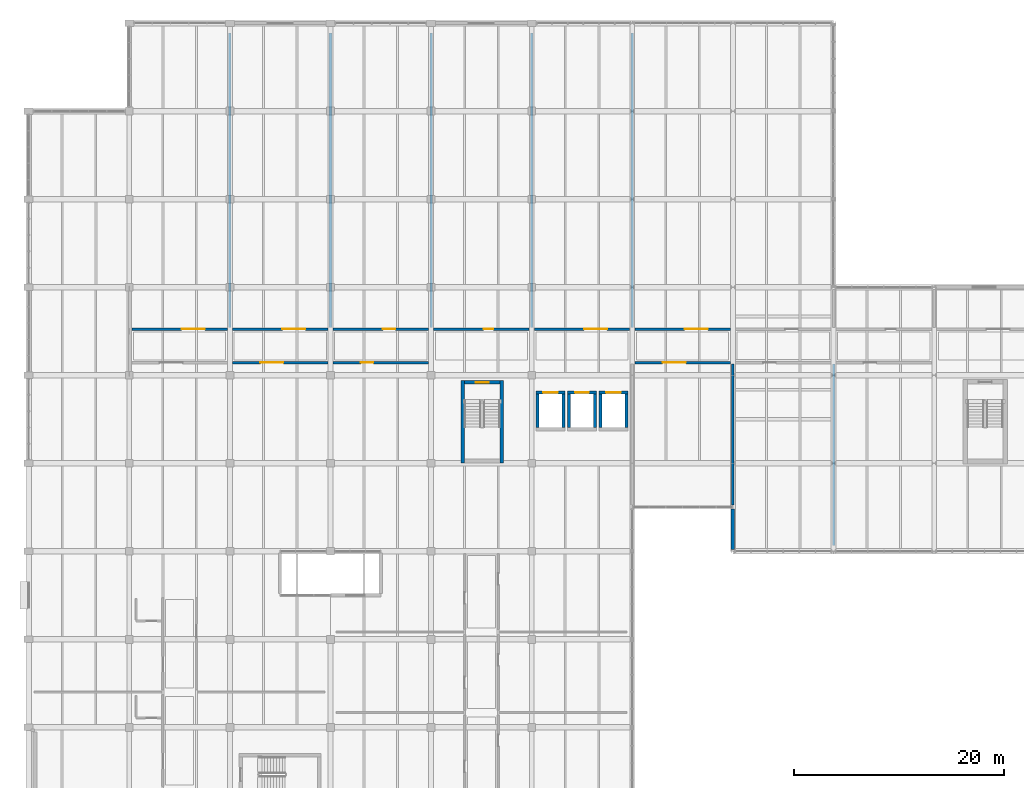
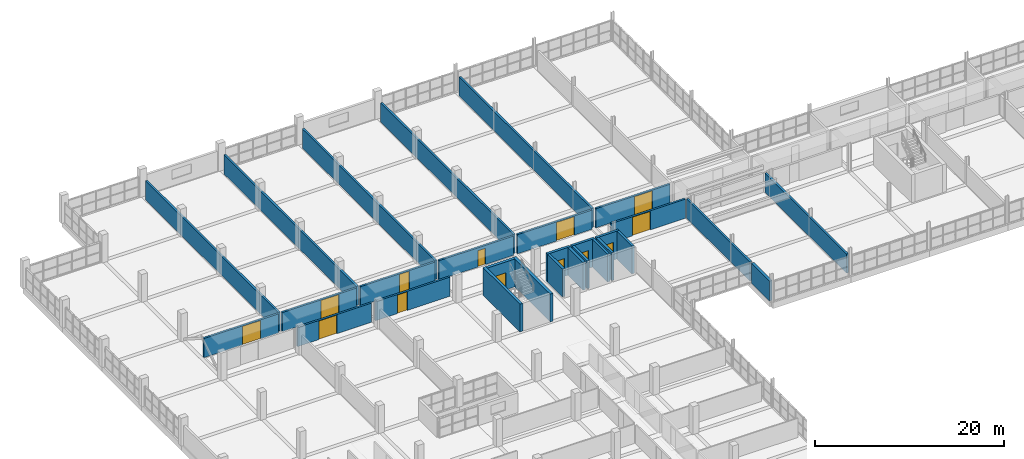
# One storey, part 123 of 147: 29 walls, 13 doors, 13 openings.
"""IFC4 building model written with IfcOpenShell, lengths in metres."""

from ifc_helpers import new_model, si_unit, direction, frame, frame_2d, origin, place, context, subcontext, project, spatial, rectangle, extrude, material, layer, layer_set, type_object, element, fill, save


model = new_model("IFC4")

# Units and contexts
model_context = context("Model", 3, precision=1e-05, world=origin(), true_north=direction((0.0, 1.0)))
body_context = subcontext(model_context, "Body", "Model", "MODEL_VIEW")
ifc_project = project(units=[si_unit("LENGTHUNIT", "METRE"), si_unit("AREAUNIT", "SQUARE_METRE"), si_unit("VOLUMEUNIT", "CUBIC_METRE"), si_unit("PLANEANGLEUNIT", "RADIAN"), si_unit("MASSUNIT", "GRAM", prefix="KILO")], contexts=[model_context])

# Site, building, storey
site_placement = place(None, origin())
site = spatial("IfcSite", under=ifc_project, at=site_placement, CompositionType="ELEMENT")
building_placement = place(site_placement, origin())
building = spatial("IfcBuilding", under=site, at=building_placement, Name="Oolite Switchyard Hospital", CompositionType="ELEMENT")
storey_placement = place(building_placement, frame((0.0, 0.0, 9.89990234375)))
storey = spatial("IfcBuildingStorey", under=building, at=storey_placement, Name="L02", CompositionType="ELEMENT", Elevation=9.89990234375)

# Wall
ifc_material_1 = material(Name="Precast oolitic limestone architectural concrete C40/50", Category="masonry")
ifc_layer_1 = layer(ifc_material_1, 0.320068359375)
ifc_layer_set_1 = layer_set([ifc_layer_1], Name="WAL-EXT-320")
wall_type_1 = type_object("IfcWallType", Name="WAL-EXT-320", PredefinedType="SOLIDWALL", material=ifc_layer_set_1)
wall_1_placement = place(storey_placement, frame((67.199951171875, 84.159912109375, 0.0), z_axis=(0.0, 0.0, 1.0), x_axis=(0.0, 1.0, 0.0)))
element("IfcWall", 1, at=wall_1_placement, inside=storey, type_object=wall_type_1, Name="L02 Exterior Spandrel Wall 155", PredefinedType="SOLIDWALL", context=body_context, shape_type="SweptSolid", body=[
    extrude(rectangle(XDim=3.880126953125, YDim=0.320068359375, at=frame_2d((1.93994140625, 0.0))), origin(), (0.0, 0.0, 1.0), 2.570068359375),
])

# Wall, opening, door
ifc_material_2 = material(Name="Precast concrete C40/50", Category="concrete")
ifc_layer_2 = layer(ifc_material_2, 0.239990234375)
ifc_layer_set_2 = layer_set([ifc_layer_2], Name="WAL-PLANT-240")
wall_type_2 = type_object("IfcWallType", Name="WAL-PLANT-240", PredefinedType="PARTITIONING", material=ifc_layer_set_2)
wall_2_placement = place(storey_placement, frame((9.85009765625, 105.199951171875, 0.0), z_axis=(0.0, 0.0, 1.0), x_axis=(1.0, 0.0, 0.0)))
wall_2 = element("IfcWall", 2, at=wall_2_placement, inside=storey, type_object=wall_type_2, Name="L02 Interior Partition 410", PredefinedType="PARTITIONING", context=body_context, shape_type="SweptSolid", body=[
    extrude(rectangle(XDim=9.099853515625, YDim=0.239990234375, at=frame_2d((4.5498046875, 0.0))), origin(), (0.0, 0.0, 1.0), 2.47998046875),
])
opening_1_placement = place(wall_2_placement, frame((4.75, 0.0, 0.0)))
opening_1 = element("IfcOpeningElement", 3, at=opening_1_placement, cuts=wall_2, Name="Opening D-0234", PredefinedType="OPENING", context=body_context, shape_type="SweptSolid", body=[
    extrude(rectangle(XDim=2.199951171875, YDim=2.39990234375, at=frame_2d((1.10009765625, 1.199951171875))), frame((0.0, 0.1298828125, 0.0), z_axis=(0.0, -1.0, 0.0), x_axis=(1.0, 0.0, 0.0)), (0.0, 0.0, 1.0), 0.260009765625),
])
ifc_material_3 = material(Name="Hollow metal fire-rated steel door assembly", Category="steel")
door_type_1 = type_object("IfcDoorType", Name="DR-PLNT-220X240", OperationType="NOTDEFINED", PredefinedType="DOOR", material=ifc_material_3)
door_1_placement = place(opening_1_placement, origin())
door_1 = element("IfcDoor", 4, at=door_1_placement, inside=storey, type_object=door_type_1, Name="L02 Interior Door D-0234", OperationType="DOUBLE_DOOR_SINGLE_SWING", OverallHeight=2.39990234375, OverallWidth=2.199951171875, PredefinedType="DOOR", context=body_context, shape_type="SweptSolid", body=[
    extrude(rectangle(XDim=2.199951171875, YDim=2.39990234375, at=frame_2d((1.10009765625, 1.199951171875))), frame((0.0, 0.02490234375, 0.0), z_axis=(0.0, -1.0, 0.0), x_axis=(1.0, 0.0, 0.0)), (0.0, 0.0, 1.0), 0.050048828125),
])
fill(opening_1, door_1)

wall_3_placement = place(storey_placement, frame((19.449951171875, 102.0, 0.0), z_axis=(0.0, 0.0, 1.0), x_axis=(1.0, 0.0, 0.0)))
wall_3 = element("IfcWall", 5, at=wall_3_placement, inside=storey, type_object=wall_type_2, Name="L02 Interior Partition 411", PredefinedType="PARTITIONING", context=body_context, shape_type="SweptSolid", body=[
    extrude(rectangle(XDim=9.10009765625, YDim=0.239990234375, at=frame_2d((4.550048828125, 0.0))), origin(), (0.0, 0.0, 1.0), 2.47998046875),
])
opening_2_placement = place(wall_3_placement, frame((2.64990234375, 0.0, 0.0)))
opening_2 = element("IfcOpeningElement", 6, at=opening_2_placement, cuts=wall_3, Name="Opening D-0235", PredefinedType="OPENING", context=body_context, shape_type="SweptSolid", body=[
    extrude(rectangle(XDim=2.199951171875, YDim=2.39990234375, at=frame_2d((1.10009765625, 1.199951171875))), frame((0.0, 0.1298828125, 0.0), z_axis=(0.0, -1.0, 0.0), x_axis=(1.0, 0.0, 0.0)), (0.0, 0.0, 1.0), 0.260009765625),
])
door_2_placement = place(opening_2_placement, origin())
door_2 = element("IfcDoor", 7, at=door_2_placement, inside=storey, type_object=door_type_1, Name="L02 Interior Door D-0235", OperationType="DOUBLE_DOOR_SINGLE_SWING", OverallHeight=2.39990234375, OverallWidth=2.199951171875, PredefinedType="DOOR", context=body_context, shape_type="SweptSolid", body=[
    extrude(rectangle(XDim=2.199951171875, YDim=2.39990234375, at=frame_2d((1.10009765625, 1.199951171875))), frame((0.0, 0.02490234375, 0.0), z_axis=(0.0, -1.0, 0.0), x_axis=(1.0, 0.0, 0.0)), (0.0, 0.0, 1.0), 0.050048828125),
])
fill(opening_2, door_2)

wall_4_placement = place(storey_placement, frame((19.449951171875, 105.199951171875, 0.0), z_axis=(0.0, 0.0, 1.0), x_axis=(1.0, 0.0, 0.0)))
wall_4 = element("IfcWall", 8, at=wall_4_placement, inside=storey, type_object=wall_type_2, Name="L02 Interior Partition 413", PredefinedType="PARTITIONING", context=body_context, shape_type="SweptSolid", body=[
    extrude(rectangle(XDim=9.10009765625, YDim=0.239990234375, at=frame_2d((4.550048828125, 0.0))), origin(), (0.0, 0.0, 1.0), 2.47998046875),
])
opening_3_placement = place(wall_4_placement, frame((4.75, 0.0, 0.0)))
opening_3 = element("IfcOpeningElement", 9, at=opening_3_placement, cuts=wall_4, Name="Opening D-0236", PredefinedType="OPENING", context=body_context, shape_type="SweptSolid", body=[
    extrude(rectangle(XDim=2.199951171875, YDim=2.39990234375, at=frame_2d((1.10009765625, 1.199951171875))), frame((0.0, 0.1298828125, 0.0), z_axis=(0.0, -1.0, 0.0), x_axis=(1.0, 0.0, 0.0)), (0.0, 0.0, 1.0), 0.260009765625),
])
door_3_placement = place(opening_3_placement, origin())
door_3 = element("IfcDoor", 10, at=door_3_placement, inside=storey, type_object=door_type_1, Name="L02 Interior Door D-0236", OperationType="DOUBLE_DOOR_SINGLE_SWING", OverallHeight=2.39990234375, OverallWidth=2.199951171875, PredefinedType="DOOR", context=body_context, shape_type="SweptSolid", body=[
    extrude(rectangle(XDim=2.199951171875, YDim=2.39990234375, at=frame_2d((1.10009765625, 1.199951171875))), frame((0.0, 0.02490234375, 0.0), z_axis=(0.0, -1.0, 0.0), x_axis=(1.0, 0.0, 0.0)), (0.0, 0.0, 1.0), 0.050048828125),
])
fill(opening_3, door_3)

# Wall
wall_5_placement = place(storey_placement, frame((19.199951171875, 105.35009765625, 0.0), z_axis=(0.0, 0.0, 1.0), x_axis=(0.0, 1.0, 0.0)))
element("IfcWall", 11, at=wall_5_placement, inside=storey, type_object=wall_type_2, Name="L02 Interior Partition 414", PredefinedType="PARTITIONING", context=body_context, shape_type="SweptSolid", body=[
    extrude(rectangle(XDim=28.099853515625, YDim=0.239990234375, at=frame_2d((14.0498046875, 0.0))), origin(), (0.0, 0.0, 1.0), 2.47998046875),
])

# Wall, opening, door
wall_6_placement = place(storey_placement, frame((29.050048828125, 102.0, 0.0), z_axis=(0.0, 0.0, 1.0), x_axis=(1.0, 0.0, 0.0)))
wall_6 = element("IfcWall", 12, at=wall_6_placement, inside=storey, type_object=wall_type_2, Name="L02 Interior Partition 415", PredefinedType="PARTITIONING", context=body_context, shape_type="SweptSolid", body=[
    extrude(rectangle(XDim=9.099853515625, YDim=0.239990234375, at=frame_2d((4.5498046875, 0.0))), origin(), (0.0, 0.0, 1.0), 2.47998046875),
])
opening_4_placement = place(wall_6_placement, frame((2.64990234375, 0.0, 0.0)))
opening_4 = element("IfcOpeningElement", 13, at=opening_4_placement, cuts=wall_6, Name="Opening D-0237", PredefinedType="OPENING", context=body_context, shape_type="SweptSolid", body=[
    extrude(rectangle(XDim=1.199951171875, YDim=2.39990234375, at=frame_2d((0.60009765625, 1.199951171875))), frame((0.0, 0.1298828125, 0.0), z_axis=(0.0, -1.0, 0.0), x_axis=(1.0, 0.0, 0.0)), (0.0, 0.0, 1.0), 0.260009765625),
])
door_type_2 = type_object("IfcDoorType", Name="DR-PHARM-120X240", OperationType="NOTDEFINED", PredefinedType="DOOR", material=ifc_material_3)
door_4_placement = place(opening_4_placement, origin())
door_4 = element("IfcDoor", 14, at=door_4_placement, inside=storey, type_object=door_type_2, Name="L02 Interior Door D-0237", OperationType="SINGLE_SWING_LEFT", OverallHeight=2.39990234375, OverallWidth=1.199951171875, PredefinedType="DOOR", context=body_context, shape_type="SweptSolid", body=[
    extrude(rectangle(XDim=1.199951171875, YDim=2.39990234375, at=frame_2d((0.60009765625, 1.199951171875))), frame((0.0, 0.02490234375, 0.0), z_axis=(0.0, -1.0, 0.0), x_axis=(1.0, 0.0, 0.0)), (0.0, 0.0, 1.0), 0.050048828125),
])
fill(opening_4, door_4)

wall_7_placement = place(storey_placement, frame((29.050048828125, 105.199951171875, 0.0), z_axis=(0.0, 0.0, 1.0), x_axis=(1.0, 0.0, 0.0)))
wall_7 = element("IfcWall", 15, at=wall_7_placement, inside=storey, type_object=wall_type_2, Name="L02 Interior Partition 417", PredefinedType="PARTITIONING", context=body_context, shape_type="SweptSolid", body=[
    extrude(rectangle(XDim=9.099853515625, YDim=0.239990234375, at=frame_2d((4.5498046875, 0.0))), origin(), (0.0, 0.0, 1.0), 2.47998046875),
])
opening_5_placement = place(wall_7_placement, frame((4.75, 0.0, 0.0)))
opening_5 = element("IfcOpeningElement", 16, at=opening_5_placement, cuts=wall_7, Name="Opening D-0238", PredefinedType="OPENING", context=body_context, shape_type="SweptSolid", body=[
    extrude(rectangle(XDim=1.199951171875, YDim=2.39990234375, at=frame_2d((0.60009765625, 1.199951171875))), frame((0.0, 0.1298828125, 0.0), z_axis=(0.0, -1.0, 0.0), x_axis=(1.0, 0.0, 0.0)), (0.0, 0.0, 1.0), 0.260009765625),
])
door_5_placement = place(opening_5_placement, origin())
door_5 = element("IfcDoor", 17, at=door_5_placement, inside=storey, type_object=door_type_2, Name="L02 Interior Door D-0238", OperationType="SINGLE_SWING_RIGHT", OverallHeight=2.39990234375, OverallWidth=1.199951171875, PredefinedType="DOOR", context=body_context, shape_type="SweptSolid", body=[
    extrude(rectangle(XDim=1.199951171875, YDim=2.39990234375, at=frame_2d((0.60009765625, 1.199951171875))), frame((0.0, 0.02490234375, 0.0), z_axis=(0.0, -1.0, 0.0), x_axis=(1.0, 0.0, 0.0)), (0.0, 0.0, 1.0), 0.050048828125),
])
fill(opening_5, door_5)

# Wall
wall_8_placement = place(storey_placement, frame((28.800048828125, 105.35009765625, 0.0), z_axis=(0.0, 0.0, 1.0), x_axis=(0.0, 1.0, 0.0)))
element("IfcWall", 18, at=wall_8_placement, inside=storey, type_object=wall_type_2, Name="L02 Interior Partition 418", PredefinedType="PARTITIONING", context=body_context, shape_type="SweptSolid", body=[
    extrude(rectangle(XDim=28.099853515625, YDim=0.239990234375, at=frame_2d((14.0498046875, 0.0))), origin(), (0.0, 0.0, 1.0), 2.47998046875),
])

# Wall, opening, door
wall_9_placement = place(storey_placement, frame((38.64990234375, 105.199951171875, 0.0), z_axis=(0.0, 0.0, 1.0), x_axis=(1.0, 0.0, 0.0)))
wall_9 = element("IfcWall", 19, at=wall_9_placement, inside=storey, type_object=wall_type_2, Name="L02 Interior Partition 419", PredefinedType="PARTITIONING", context=body_context, shape_type="SweptSolid", body=[
    extrude(rectangle(XDim=9.10009765625, YDim=0.239990234375, at=frame_2d((4.550048828125, 0.0))), origin(), (0.0, 0.0, 1.0), 2.47998046875),
])
opening_6_placement = place(wall_9_placement, frame((4.75, 0.0, 0.0)))
opening_6 = element("IfcOpeningElement", 20, at=opening_6_placement, cuts=wall_9, Name="Opening D-0239", PredefinedType="OPENING", context=body_context, shape_type="SweptSolid", body=[
    extrude(rectangle(XDim=0.949951171875, YDim=2.10009765625, at=frame_2d((0.47509765625, 1.050048828125))), frame((0.0, 0.1298828125, 0.0), z_axis=(0.0, -1.0, 0.0), x_axis=(1.0, 0.0, 0.0)), (0.0, 0.0, 1.0), 0.260009765625),
])
ifc_material_4 = material(Name="Solid-core antimicrobial hardwood leaf in steel frame", Category="steel")
door_type_3 = type_object("IfcDoorType", Name="DR-BATH-095X210", OperationType="NOTDEFINED", PredefinedType="DOOR", material=ifc_material_4)
door_6_placement = place(opening_6_placement, origin())
door_6 = element("IfcDoor", 21, at=door_6_placement, inside=storey, type_object=door_type_3, Name="L02 Interior Door D-0239", OperationType="SINGLE_SWING_LEFT", OverallHeight=2.10009765625, OverallWidth=0.949951171875, PredefinedType="DOOR", context=body_context, shape_type="SweptSolid", body=[
    extrude(rectangle(XDim=0.949951171875, YDim=2.10009765625, at=frame_2d((0.47509765625, 1.050048828125))), frame((0.0, 0.02490234375, 0.0), z_axis=(0.0, -1.0, 0.0), x_axis=(1.0, 0.0, 0.0)), (0.0, 0.0, 1.0), 0.050048828125),
])
fill(opening_6, door_6)

# Wall
wall_10_placement = place(storey_placement, frame((38.39990234375, 105.35009765625, 0.0), z_axis=(0.0, 0.0, 1.0), x_axis=(0.0, 1.0, 0.0)))
element("IfcWall", 22, at=wall_10_placement, inside=storey, type_object=wall_type_2, Name="L02 Interior Partition 420", PredefinedType="PARTITIONING", context=body_context, shape_type="SweptSolid", body=[
    extrude(rectangle(XDim=28.099853515625, YDim=0.239990234375, at=frame_2d((14.0498046875, 0.0))), origin(), (0.0, 0.0, 1.0), 2.47998046875),
])

# Wall, opening, door
wall_11_placement = place(storey_placement, frame((48.25, 105.199951171875, 0.0), z_axis=(0.0, 0.0, 1.0), x_axis=(1.0, 0.0, 0.0)))
wall_11 = element("IfcWall", 23, at=wall_11_placement, inside=storey, type_object=wall_type_2, Name="L02 Interior Partition 421", PredefinedType="PARTITIONING", context=body_context, shape_type="SweptSolid", body=[
    extrude(rectangle(XDim=9.10009765625, YDim=0.239990234375, at=frame_2d((4.550048828125, 0.0))), origin(), (0.0, 0.0, 1.0), 2.47998046875),
])
opening_7_placement = place(wall_11_placement, frame((4.75, 0.0, 0.0)))
opening_7 = element("IfcOpeningElement", 24, at=opening_7_placement, cuts=wall_11, Name="Opening D-0240", PredefinedType="OPENING", context=body_context, shape_type="SweptSolid", body=[
    extrude(rectangle(XDim=2.199951171875, YDim=2.39990234375, at=frame_2d((1.10009765625, 1.199951171875))), frame((0.0, 0.1298828125, 0.0), z_axis=(0.0, -1.0, 0.0), x_axis=(1.0, 0.0, 0.0)), (0.0, 0.0, 1.0), 0.260009765625),
])
door_7_placement = place(opening_7_placement, origin())
door_7 = element("IfcDoor", 25, at=door_7_placement, inside=storey, type_object=door_type_1, Name="L02 Interior Door D-0240", OperationType="DOUBLE_DOOR_SINGLE_SWING", OverallHeight=2.39990234375, OverallWidth=2.199951171875, PredefinedType="DOOR", context=body_context, shape_type="SweptSolid", body=[
    extrude(rectangle(XDim=2.199951171875, YDim=2.39990234375, at=frame_2d((1.10009765625, 1.199951171875))), frame((0.0, 0.02490234375, 0.0), z_axis=(0.0, -1.0, 0.0), x_axis=(1.0, 0.0, 0.0)), (0.0, 0.0, 1.0), 0.050048828125),
])
fill(opening_7, door_7)

# Wall
wall_12_placement = place(storey_placement, frame((48.0, 105.35009765625, 0.0), z_axis=(0.0, 0.0, 1.0), x_axis=(0.0, 1.0, 0.0)))
element("IfcWall", 26, at=wall_12_placement, inside=storey, type_object=wall_type_2, Name="L02 Interior Partition 422", PredefinedType="PARTITIONING", context=body_context, shape_type="SweptSolid", body=[
    extrude(rectangle(XDim=28.099853515625, YDim=0.239990234375, at=frame_2d((14.0498046875, 0.0))), origin(), (0.0, 0.0, 1.0), 2.47998046875),
])

# Wall, opening, door
wall_13_placement = place(storey_placement, frame((57.85009765625, 102.0, 0.0), z_axis=(0.0, 0.0, 1.0), x_axis=(1.0, 0.0, 0.0)))
wall_13 = element("IfcWall", 27, at=wall_13_placement, inside=storey, type_object=wall_type_2, Name="L02 Interior Partition 423", PredefinedType="PARTITIONING", context=body_context, shape_type="SweptSolid", body=[
    extrude(rectangle(XDim=9.099853515625, YDim=0.239990234375, at=frame_2d((4.5498046875, 0.0))), origin(), (0.0, 0.0, 1.0), 2.47998046875),
])
opening_8_placement = place(wall_13_placement, frame((2.64990234375, 0.0, 0.0)))
opening_8 = element("IfcOpeningElement", 28, at=opening_8_placement, cuts=wall_13, Name="Opening D-0241", PredefinedType="OPENING", context=body_context, shape_type="SweptSolid", body=[
    extrude(rectangle(XDim=2.199951171875, YDim=2.39990234375, at=frame_2d((1.10009765625, 1.199951171875))), frame((0.0, 0.1298828125, 0.0), z_axis=(0.0, -1.0, 0.0), x_axis=(1.0, 0.0, 0.0)), (0.0, 0.0, 1.0), 0.260009765625),
])
door_8_placement = place(opening_8_placement, origin())
door_8 = element("IfcDoor", 29, at=door_8_placement, inside=storey, type_object=door_type_1, Name="L02 Interior Door D-0241", OperationType="DOUBLE_DOOR_SINGLE_SWING", OverallHeight=2.39990234375, OverallWidth=2.199951171875, PredefinedType="DOOR", context=body_context, shape_type="SweptSolid", body=[
    extrude(rectangle(XDim=2.199951171875, YDim=2.39990234375, at=frame_2d((1.10009765625, 1.199951171875))), frame((0.0, 0.02490234375, 0.0), z_axis=(0.0, -1.0, 0.0), x_axis=(1.0, 0.0, 0.0)), (0.0, 0.0, 1.0), 0.050048828125),
])
fill(opening_8, door_8)

wall_14_placement = place(storey_placement, frame((57.85009765625, 105.199951171875, 0.0), z_axis=(0.0, 0.0, 1.0), x_axis=(1.0, 0.0, 0.0)))
wall_14 = element("IfcWall", 30, at=wall_14_placement, inside=storey, type_object=wall_type_2, Name="L02 Interior Partition 425", PredefinedType="PARTITIONING", context=body_context, shape_type="SweptSolid", body=[
    extrude(rectangle(XDim=9.099853515625, YDim=0.239990234375, at=frame_2d((4.5498046875, 0.0))), origin(), (0.0, 0.0, 1.0), 2.47998046875),
])
opening_9_placement = place(wall_14_placement, frame((4.75, 0.0, 0.0)))
opening_9 = element("IfcOpeningElement", 31, at=opening_9_placement, cuts=wall_14, Name="Opening D-0242", PredefinedType="OPENING", context=body_context, shape_type="SweptSolid", body=[
    extrude(rectangle(XDim=2.199951171875, YDim=2.39990234375, at=frame_2d((1.10009765625, 1.199951171875))), frame((0.0, 0.1298828125, 0.0), z_axis=(0.0, -1.0, 0.0), x_axis=(1.0, 0.0, 0.0)), (0.0, 0.0, 1.0), 0.260009765625),
])
door_9_placement = place(opening_9_placement, origin())
door_9 = element("IfcDoor", 32, at=door_9_placement, inside=storey, type_object=door_type_1, Name="L02 Interior Door D-0242", OperationType="DOUBLE_DOOR_SINGLE_SWING", OverallHeight=2.39990234375, OverallWidth=2.199951171875, PredefinedType="DOOR", context=body_context, shape_type="SweptSolid", body=[
    extrude(rectangle(XDim=2.199951171875, YDim=2.39990234375, at=frame_2d((1.10009765625, 1.199951171875))), frame((0.0, 0.02490234375, 0.0), z_axis=(0.0, -1.0, 0.0), x_axis=(1.0, 0.0, 0.0)), (0.0, 0.0, 1.0), 0.050048828125),
])
fill(opening_9, door_9)

# Walls
wall_15_placement = place(storey_placement, frame((57.60009765625, 105.35009765625, 0.0), z_axis=(0.0, 0.0, 1.0), x_axis=(0.0, 1.0, 0.0)))
element("IfcWall", 33, at=wall_15_placement, inside=storey, type_object=wall_type_2, Name="L02 Interior Partition 426", PredefinedType="PARTITIONING", context=body_context, shape_type="SweptSolid", body=[
    extrude(rectangle(XDim=28.099853515625, YDim=0.239990234375, at=frame_2d((14.0498046875, 0.0))), origin(), (0.0, 0.0, 1.0), 2.47998046875),
])
wall_16_placement = place(storey_placement, frame((67.199951171875, 88.39990234375, 0.0), z_axis=(0.0, 0.0, 1.0), x_axis=(0.0, 1.0, 0.0)))
element("IfcWall", 34, at=wall_16_placement, inside=storey, type_object=wall_type_2, Name="L02 Interior Partition 428", PredefinedType="PARTITIONING", context=body_context, shape_type="SweptSolid", body=[
    extrude(rectangle(XDim=13.4501953125, YDim=0.239990234375, at=frame_2d((6.72509765625, 0.0))), origin(), (0.0, 0.0, 1.0), 2.47998046875),
])
wall_17_placement = place(storey_placement, frame((76.800048828125, 84.550048828125, 0.0), z_axis=(0.0, 0.0, 1.0), x_axis=(0.0, 1.0, 0.0)))
element("IfcWall", 35, at=wall_17_placement, inside=storey, type_object=wall_type_2, Name="L02 Interior Partition 432", PredefinedType="PARTITIONING", context=body_context, shape_type="SweptSolid", body=[
    extrude(rectangle(XDim=17.300048828125, YDim=0.239990234375, at=frame_2d((8.64990234375, 0.0))), origin(), (0.0, 0.0, 1.0), 2.47998046875),
])
ifc_material_5 = material(Name="Concrete C50/60", Category="concrete")
ifc_layer_3 = layer(ifc_material_5, 0.300048828125)
ifc_layer_set_3 = layer_set([ifc_layer_3], Name="WAL-SHR-300")
wall_type_3 = type_object("IfcWallType", Name="WAL-SHR-300", PredefinedType="SHEAR", material=ifc_layer_set_3)
wall_18_placement = place(storey_placement, frame((51.050048828125, 95.800048828125, 0.0), z_axis=(0.0, 0.0, 1.0), x_axis=(0.0, 1.0, 0.0)))
element("IfcWall", 36, at=wall_18_placement, inside=storey, type_object=wall_type_3, Name="L02 Lift Shaft Shear Wall EL-08", PredefinedType="SHEAR", context=body_context, shape_type="SweptSolid", body=[
    extrude(rectangle(XDim=3.199951171875, YDim=0.300048828125, at=frame_2d((1.60009765625, 0.0))), origin(), (0.0, 0.0, 1.0), 3.60009765625),
])

# Wall, opening, door
wall_19_placement = place(storey_placement, frame((51.199951171875, 99.14990234375, 0.0), z_axis=(0.0, 0.0, 1.0), x_axis=(-1.0, 0.0, 0.0)))
wall_19 = element("IfcWall", 37, at=wall_19_placement, inside=storey, type_object=wall_type_3, Name="L02 Lift Shaft Shear Wall EL-08", PredefinedType="SHEAR", context=body_context, shape_type="SweptSolid", body=[
    extrude(rectangle(XDim=2.800048828125, YDim=0.300048828125, at=frame_2d((1.39990234375, 0.0))), origin(), (0.0, 0.0, 1.0), 3.60009765625),
])
opening_10_placement = place(wall_19_placement, frame((0.699951171875, 0.0, 0.0)))
opening_10 = element("IfcOpeningElement", 38, at=opening_10_placement, cuts=wall_19, Name="Opening LD-058", PredefinedType="OPENING", context=body_context, shape_type="SweptSolid", body=[
    extrude(rectangle(XDim=1.39990234375, YDim=2.300048828125, at=frame_2d((0.699951171875, 1.14990234375))), frame((0.0, 0.16015625, 0.0), z_axis=(0.0, -1.0, 0.0), x_axis=(1.0, 0.0, 0.0)), (0.0, 0.0, 1.0), 0.320068359375),
])
ifc_material_6 = material(Name="Brushed stainless steel fire-rated sliding landing door", Category="steel")
door_type_4 = type_object("IfcDoorType", Name="DR-LD-140X230", OperationType="NOTDEFINED", PredefinedType="DOOR", material=ifc_material_6)
door_10_placement = place(opening_10_placement, origin())
door_10 = element("IfcDoor", 39, at=door_10_placement, inside=storey, type_object=door_type_4, Name="L02 EL-08 Lift Landing Door LD-058", OperationType="SLIDING_TO_RIGHT", OverallHeight=2.300048828125, OverallWidth=1.39990234375, PredefinedType="DOOR", context=body_context, shape_type="SweptSolid", body=[
    extrude(rectangle(XDim=1.39990234375, YDim=2.300048828125, at=frame_2d((0.699951171875, 1.14990234375))), frame((0.0, 0.02490234375, 0.0), z_axis=(0.0, -1.0, 0.0), x_axis=(1.0, 0.0, 0.0)), (0.0, 0.0, 1.0), 0.050048828125),
])
fill(opening_10, door_10)

# Walls
for number, where, z_axis, x_axis, name in (
    (40, (48.550048828125, 99.0, 0.0), (0.0, 0.0, 1.0), (0.0, -1.0, 0.0), "L02 Lift Shaft Shear Wall EL-08"),
    (41, (54.050048828125, 95.800048828125, 0.0), (0.0, 0.0, 1.0), (0.0, 1.0, 0.0), "L02 Lift Shaft Shear Wall EL-09"),
):
    element("IfcWall", number, at=place(storey_placement, frame(where, z_axis=z_axis, x_axis=x_axis)), inside=storey, type_object=wall_type_3, Name=name, PredefinedType="SHEAR", context=body_context, shape_type="SweptSolid", body=[
        extrude(rectangle(XDim=3.199951171875, YDim=0.300048828125, at=frame_2d((1.60009765625, 0.0))), origin(), (0.0, 0.0, 1.0), 3.60009765625),
    ])

# Wall, opening, door
wall_20_placement = place(storey_placement, frame((54.199951171875, 99.14990234375, 0.0), z_axis=(0.0, 0.0, 1.0), x_axis=(-1.0, 0.0, 0.0)))
wall_20 = element("IfcWall", 42, at=wall_20_placement, inside=storey, type_object=wall_type_3, Name="L02 Lift Shaft Shear Wall EL-09", PredefinedType="SHEAR", context=body_context, shape_type="SweptSolid", body=[
    extrude(rectangle(XDim=2.800048828125, YDim=0.300048828125, at=frame_2d((1.39990234375, 0.0))), origin(), (0.0, 0.0, 1.0), 3.60009765625),
])
opening_11_placement = place(wall_20_placement, frame((0.75, 0.0, 0.0)))
opening_11 = element("IfcOpeningElement", 43, at=opening_11_placement, cuts=wall_20, Name="Opening LD-062", PredefinedType="OPENING", context=body_context, shape_type="SweptSolid", body=[
    extrude(rectangle(XDim=1.300048828125, YDim=2.300048828125, at=frame_2d((0.64990234375, 1.14990234375))), frame((0.0, 0.16015625, 0.0), z_axis=(0.0, -1.0, 0.0), x_axis=(1.0, 0.0, 0.0)), (0.0, 0.0, 1.0), 0.320068359375),
])
door_type_5 = type_object("IfcDoorType", Name="DR-LD-130X230", OperationType="NOTDEFINED", PredefinedType="DOOR", material=ifc_material_6)
door_11_placement = place(opening_11_placement, origin())
door_11 = element("IfcDoor", 44, at=door_11_placement, inside=storey, type_object=door_type_5, Name="L02 EL-09 Lift Landing Door LD-062", OperationType="SLIDING_TO_RIGHT", OverallHeight=2.300048828125, OverallWidth=1.300048828125, PredefinedType="DOOR", context=body_context, shape_type="SweptSolid", body=[
    extrude(rectangle(XDim=1.300048828125, YDim=2.300048828125, at=frame_2d((0.64990234375, 1.14990234375))), frame((0.0, 0.02490234375, 0.0), z_axis=(0.0, -1.0, 0.0), x_axis=(1.0, 0.0, 0.0)), (0.0, 0.0, 1.0), 0.050048828125),
])
fill(opening_11, door_11)

# Walls
for number, where, z_axis, x_axis, name in (
    (45, (51.550048828125, 99.0, 0.0), (0.0, 0.0, 1.0), (0.0, -1.0, 0.0), "L02 Lift Shaft Shear Wall EL-09"),
    (46, (57.050048828125, 95.800048828125, 0.0), (0.0, 0.0, 1.0), (0.0, 1.0, 0.0), "L02 Lift Shaft Shear Wall EL-10"),
):
    element("IfcWall", number, at=place(storey_placement, frame(where, z_axis=z_axis, x_axis=x_axis)), inside=storey, type_object=wall_type_3, Name=name, PredefinedType="SHEAR", context=body_context, shape_type="SweptSolid", body=[
        extrude(rectangle(XDim=3.199951171875, YDim=0.300048828125, at=frame_2d((1.60009765625, 0.0))), origin(), (0.0, 0.0, 1.0), 3.60009765625),
    ])

# Wall, opening, door
wall_21_placement = place(storey_placement, frame((57.199951171875, 99.14990234375, 0.0), z_axis=(0.0, 0.0, 1.0), x_axis=(-1.0, 0.0, 0.0)))
wall_21 = element("IfcWall", 47, at=wall_21_placement, inside=storey, type_object=wall_type_3, Name="L02 Lift Shaft Shear Wall EL-10", PredefinedType="SHEAR", context=body_context, shape_type="SweptSolid", body=[
    extrude(rectangle(XDim=2.800048828125, YDim=0.300048828125, at=frame_2d((1.39990234375, 0.0))), origin(), (0.0, 0.0, 1.0), 3.60009765625),
])
opening_12_placement = place(wall_21_placement, frame((0.699951171875, 0.0, 0.0)))
opening_12 = element("IfcOpeningElement", 48, at=opening_12_placement, cuts=wall_21, Name="Opening LD-066", PredefinedType="OPENING", context=body_context, shape_type="SweptSolid", body=[
    extrude(rectangle(XDim=1.39990234375, YDim=2.300048828125, at=frame_2d((0.699951171875, 1.14990234375))), frame((0.0, 0.16015625, 0.0), z_axis=(0.0, -1.0, 0.0), x_axis=(1.0, 0.0, 0.0)), (0.0, 0.0, 1.0), 0.320068359375),
])
door_12_placement = place(opening_12_placement, origin())
door_12 = element("IfcDoor", 49, at=door_12_placement, inside=storey, type_object=door_type_4, Name="L02 EL-10 Lift Landing Door LD-066", OperationType="SLIDING_TO_RIGHT", OverallHeight=2.300048828125, OverallWidth=1.39990234375, PredefinedType="DOOR", context=body_context, shape_type="SweptSolid", body=[
    extrude(rectangle(XDim=1.39990234375, YDim=2.300048828125, at=frame_2d((0.699951171875, 1.14990234375))), frame((0.0, 0.02490234375, 0.0), z_axis=(0.0, -1.0, 0.0), x_axis=(1.0, 0.0, 0.0)), (0.0, 0.0, 1.0), 0.050048828125),
])
fill(opening_12, door_12)

# Walls
wall_22_placement = place(storey_placement, frame((54.550048828125, 99.0, 0.0), z_axis=(0.0, 0.0, 1.0), x_axis=(0.0, -1.0, 0.0)))
element("IfcWall", 50, at=wall_22_placement, inside=storey, type_object=wall_type_3, Name="L02 Lift Shaft Shear Wall EL-10", PredefinedType="SHEAR", context=body_context, shape_type="SweptSolid", body=[
    extrude(rectangle(XDim=3.199951171875, YDim=0.300048828125, at=frame_2d((1.60009765625, 0.0))), origin(), (0.0, 0.0, 1.0), 3.60009765625),
])
ifc_layer_4 = layer(ifc_material_5, 0.35009765625)
ifc_layer_set_4 = layer_set([ifc_layer_4], Name="WAL-SHR-350")
wall_type_4 = type_object("IfcWallType", Name="WAL-SHR-350", PredefinedType="SHEAR", material=ifc_layer_set_4)
for number, where, z_axis, x_axis, name in (
    (51, (41.425048828125, 100.300048828125, 0.0), (0.0, 0.0, 1.0), (0.0, -1.0, 0.0), "L02 Core Shear Wall ST-07"),
    (52, (45.135009765625, 92.449951171875, 0.0), (0.0, 0.0, 1.0), (0.0, 1.0, 0.0), "L02 Core Shear Wall ST-07"),
):
    element("IfcWall", number, at=place(storey_placement, frame(where, z_axis=z_axis, x_axis=x_axis)), inside=storey, type_object=wall_type_4, Name=name, PredefinedType="SHEAR", context=body_context, shape_type="SweptSolid", body=[
        extrude(rectangle(XDim=7.85009765625, YDim=0.35009765625, at=frame_2d((3.925048828125, 0.0))), origin(), (0.0, 0.0, 1.0), 3.60009765625),
    ])

# Wall, opening, door
wall_23_placement = place(storey_placement, frame((44.9599609375, 100.125, 0.0), z_axis=(0.0, 0.0, 1.0), x_axis=(-1.0, 0.0, 0.0)))
wall_23 = element("IfcWall", 53, at=wall_23_placement, inside=storey, type_object=wall_type_4, Name="L02 Core Shear Wall ST-07", PredefinedType="SHEAR", context=body_context, shape_type="SweptSolid", body=[
    extrude(rectangle(XDim=3.35986328125, YDim=0.35009765625, at=frame_2d((1.679931640625, 0.0))), origin(), (0.0, 0.0, 1.0), 3.60009765625),
])
opening_13_placement = place(wall_23_placement, frame((1.080078125, 0.0, 0.0)))
opening_13 = element("IfcOpeningElement", 54, at=opening_13_placement, cuts=wall_23, Name="Opening SD-045", PredefinedType="OPENING", context=body_context, shape_type="SweptSolid", body=[
    extrude(rectangle(XDim=1.199951171875, YDim=2.199951171875, at=frame_2d((0.60009765625, 1.10009765625))), frame((0.0, 0.18505859375, 0.0), z_axis=(0.0, -1.0, 0.0), x_axis=(1.0, 0.0, 0.0)), (0.0, 0.0, 1.0), 0.3701171875),
])
door_type_6 = type_object("IfcDoorType", Name="DR-STR-120X220", OperationType="NOTDEFINED", PredefinedType="DOOR", material=ifc_material_3)
door_13_placement = place(opening_13_placement, origin())
door_13 = element("IfcDoor", 55, at=door_13_placement, inside=storey, type_object=door_type_6, Name="L02 ST-07 Exit Stair Door SD-045", OperationType="SINGLE_SWING_LEFT", OverallHeight=2.199951171875, OverallWidth=1.199951171875, PredefinedType="DOOR", context=body_context, shape_type="SweptSolid", body=[
    extrude(rectangle(XDim=1.199951171875, YDim=2.199951171875, at=frame_2d((0.60009765625, 1.10009765625))), frame((0.0, 0.02490234375, 0.0), z_axis=(0.0, -1.0, 0.0), x_axis=(1.0, 0.0, 0.0)), (0.0, 0.0, 1.0), 0.050048828125),
])
fill(opening_13, door_13)

save(model, "model.ifc")
